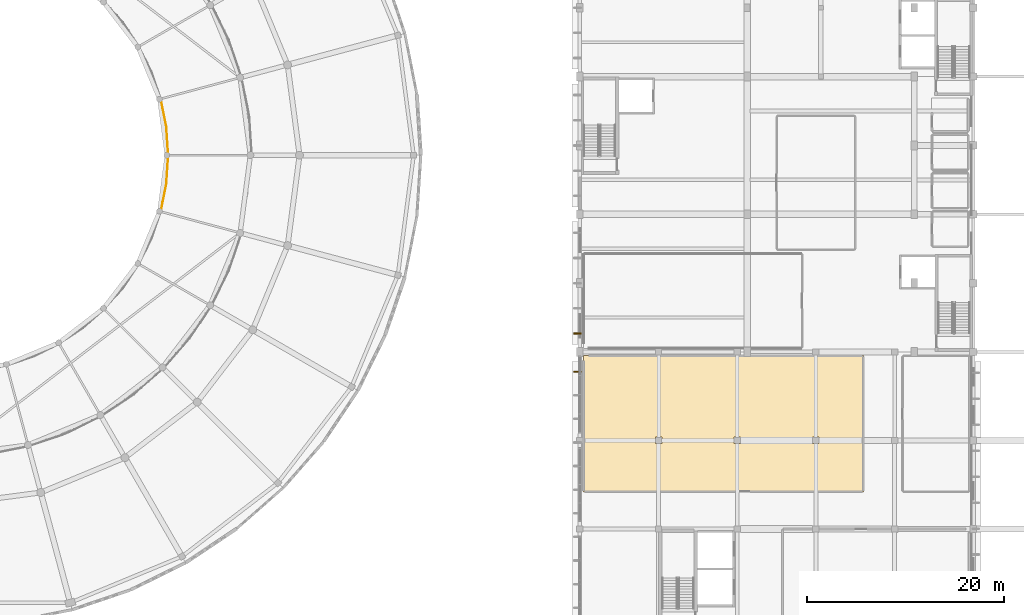
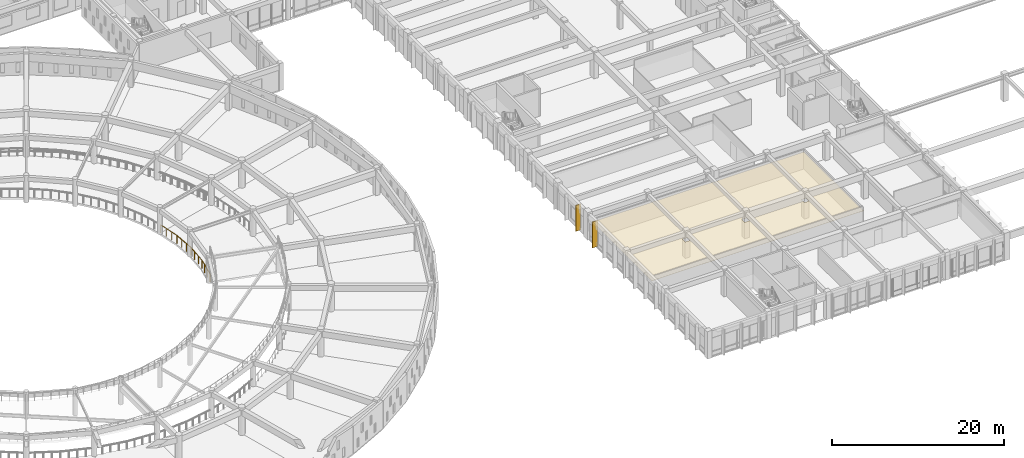
# One storey, part 84 of 98: 3 coverings, 1 railing.
"""IFC4 building model written with IfcOpenShell, lengths in metres."""

from ifc_helpers import new_model, si_unit, direction, frame, origin, origin_2d, place, context, subcontext, project, spatial, polyline, rectangle, circle, outline, extrude, material, layer, layer_set, type_object, element, save


model = new_model("IFC4")

# Units and contexts
model_context = context("Model", 3, precision=1e-05, world=origin(), true_north=direction((0.0, 1.0)))
body_context = subcontext(model_context, "Body", "Model", "MODEL_VIEW")
ifc_project = project(units=[si_unit("LENGTHUNIT", "METRE"), si_unit("AREAUNIT", "SQUARE_METRE"), si_unit("VOLUMEUNIT", "CUBIC_METRE"), si_unit("PLANEANGLEUNIT", "RADIAN"), si_unit("MASSUNIT", "GRAM", prefix="KILO")], contexts=[model_context])

# Site, building, storey
site_placement = place(None, origin())
site = spatial("IfcSite", under=ifc_project, at=site_placement, CompositionType="ELEMENT")
building_placement = place(site_placement, origin())
building = spatial("IfcBuilding", under=site, at=building_placement, Name="Larkveld Mobility Hub", CompositionType="ELEMENT")
storey_placement = place(building_placement, frame((0.0, 0.0, 4.5)))
storey = spatial("IfcBuildingStorey", under=building, at=storey_placement, Name="L01", CompositionType="ELEMENT", Elevation=4.5)

# Coverings
ifc_material_1 = material(Name="Precast concrete C50/60", Category="concrete")
ifc_layer_1 = layer(ifc_material_1, 0.1201171875, Name="Precast concrete C50/60", Category="concrete")
ifc_layer_set_1 = layer_set([ifc_layer_1], Name="Precast concrete C50/60")
covering_type_1 = type_object("IfcCoveringType", Name="COV-QSL-V01", PredefinedType="CLADDING", material=ifc_layer_set_1)
for number, where, z_axis, x_axis, name in (
    (1, (111.760009765625, 26.0, -0.0205078125), (0.0, 0.0, 1.0), (0.0, -1.0, 0.0), "Precast Quebra-Sol Vertical Fin QSV-235"),
    (2, (111.760009765625, 29.8798828125, -0.0205078125), (0.0, 0.0, 1.0), (0.0, -1.0, 0.0), "Precast Quebra-Sol Vertical Fin QSV-402"),
):
    element("IfcCovering", number, at=place(storey_placement, frame(where, z_axis=z_axis, x_axis=x_axis)), inside=storey, type_object=covering_type_1, Name=name, PredefinedType="CLADDING", context=body_context, shape_type="SweptSolid", body=[
        extrude(rectangle(XDim=0.1201171875, YDim=0.719970703125, at=origin_2d()), origin(), (0.0, 0.0, 1.0), 3.675048828125),
    ])
ifc_material_2 = material(Name="Moisture-resistant gypsum board ceiling", Category="masonry")
ifc_layer_2 = layer(ifc_material_2, 0.02490234375, Name="Moisture-resistant gypsum board ceiling", Category="masonry")
ifc_layer_set_2 = layer_set([ifc_layer_2], Name="Moisture-resistant gypsum board ceiling")
covering_type_2 = type_object("IfcCoveringType", Name="CV-CLG-025", PredefinedType="CEILING", material=ifc_layer_set_2)
covering_placement = place(storey_placement, frame((0.0, 0.0, 2.324951171875)))
element("IfcCovering", 3, at=covering_placement, inside=storey, type_object=covering_type_2, Name="Bus and Taxi Driver Rest Canteen Acoustic Ceiling 021", PredefinedType="CEILING", context=body_context, shape_type="SweptSolid", body=[
    extrude(outline(polyline([(112.4169921875, 13.77001953125), (112.4140625, 13.77099609375), (112.410888671875, 13.77099609375), (112.408935546875, 13.77197265625), (112.406005859375, 13.77392578125), (112.403076171875, 13.77490234375), (112.40087890625, 13.777099609375), (112.39892578125, 13.779052734375), (112.37890625, 13.799072265625), (112.376953125, 13.801025390625), (112.375, 13.802978515625), (112.3740234375, 13.805908203125), (112.3720703125, 13.80908203125), (112.37109375, 13.81103515625), (112.37109375, 13.81396484375), (112.3701171875, 13.81689453125), (112.3701171875, 13.820068359375), (112.3701171875, 27.580078125), (112.3701171875, 27.5830078125), (112.37109375, 27.5859375), (112.3720703125, 27.590087890625), (112.373046875, 27.593017578125), (112.3740234375, 27.594970703125), (112.385009765625, 27.613037109375), (112.386962890625, 27.615966796875), (112.388916015625, 27.617919921875), (112.39111328125, 27.6201171875), (112.39306640625, 27.6220703125), (112.39599609375, 27.6240234375), (112.39892578125, 27.625), (112.40087890625, 27.6259765625), (112.404052734375, 27.626953125), (112.406982421875, 27.626953125), (112.410888671875, 27.6279296875), (128.669921875, 27.62890625), (128.669921875, 27.544921875), (129.330078125, 27.544921875), (129.330078125, 27.62890625), (140.780029296875, 27.6298828125), (140.782958984375, 27.6298828125), (140.784912109375, 27.6298828125), (140.7880859375, 27.62890625), (140.791015625, 27.6279296875), (140.79296875, 27.626953125), (140.794921875, 27.6259765625), (140.81298828125, 27.614990234375), (140.81591796875, 27.613037109375), (140.818115234375, 27.611083984375), (140.820068359375, 27.60888671875), (140.822021484375, 27.60693359375), (140.823974609375, 27.60400390625), (140.824951171875, 27.60107421875), (140.825927734375, 27.59912109375), (140.826904296875, 27.595947265625), (140.826904296875, 27.593017578125), (140.827880859375, 27.589111328125), (140.830078125, 13.820068359375), (140.830078125, 13.81689453125), (140.830078125, 13.81494140625), (140.8291015625, 13.81201171875), (140.827880859375, 13.80908203125), (140.826904296875, 13.806884765625), (140.825927734375, 13.804931640625), (140.81494140625, 13.787109375), (140.81298828125, 13.783935546875), (140.81103515625, 13.781982421875), (140.80908203125, 13.780029296875), (140.806884765625, 13.778076171875), (140.803955078125, 13.77587890625), (140.801025390625, 13.77490234375), (140.799072265625, 13.77392578125), (140.7958984375, 13.77294921875), (140.79296875, 13.77294921875), (140.7890625, 13.77197265625), (112.419921875, 13.77001953125), (112.4169921875, 13.77001953125)]), holes=[polyline([(119.669921875, 19.330078125), (119.669921875, 18.669921875), (120.330078125, 18.669921875), (120.330078125, 19.330078125), (119.669921875, 19.330078125)]), polyline([(127.669921875, 19.330078125), (127.669921875, 18.669921875), (128.330078125, 18.669921875), (128.330078125, 19.330078125), (127.669921875, 19.330078125)]), polyline([(135.669921875, 19.330078125), (135.669921875, 18.669921875), (136.330078125, 18.669921875), (136.330078125, 19.330078125), (135.669921875, 19.330078125)])]), origin(), (0.0, 0.0, 1.0), 0.025146484375),
])

# Railing
ifc_material_3 = material(Name="Galvanized Steel S355JR vehicle-deck guard", Category="steel")
railing_type = type_object("IfcRailingType", Name="RL-GRD-RMP", PredefinedType="GUARDRAIL", material=ifc_material_3)
railing_placement = place(storey_placement, frame((69.39501953125, 42.26708984375, 0.0)))
element("IfcRailing", 4, at=railing_placement, inside=storey, type_object=railing_type, Name="Helical Throat Inner Guard L01-007", PredefinedType="GUARDRAIL", context=body_context, shape_type="SweptSolid", body=[
    extrude(circle(Radius=0.02392578125, at=origin_2d()), frame((0.0, 0.0, 1.1259765625), z_axis=(0.195305912265, 0.980742372203, 0.0), x_axis=(-0.980742372203, 0.195305912265, 0.0)), (0.0, 0.0, 1.0), 2.897705078125),
    extrude(circle(Radius=0.02392578125, at=origin_2d()), frame((0.56591796875, 2.841796875, 1.1259765625), z_axis=(0.065221416326, 0.997870816715, 0.0), x_axis=(-0.997870816715, 0.065221416326, 0.0)), (0.0, 0.0, 1.0), 2.897216796875),
    extrude(circle(Radius=0.02392578125, at=origin_2d()), frame((0.7548828125, 5.73291015625, 1.1259765625), z_axis=(-0.065221416326, 0.997870816715, 0.0), x_axis=(-0.997870816715, -0.065221416326, 0.0)), (0.0, 0.0, 1.0), 2.897216796875),
    extrude(circle(Radius=0.02392578125, at=origin_2d()), frame((0.56591796875, 8.6240234375, 1.1259765625), z_axis=(-0.195305912265, 0.980742372203, 0.0), x_axis=(-0.980742372203, -0.195305912265, 0.0)), (0.0, 0.0, 1.0), 2.897705078125),
    extrude(circle(Radius=0.02099609375, at=origin_2d()), origin(), (0.0, 0.0, 1.0), 1.101806640625),
    extrude(circle(Radius=0.02099609375, at=origin_2d()), frame((0.188720703125, 0.947265625, 0.0)), (0.0, 0.0, 1.0), 1.101806640625),
    extrude(circle(Radius=0.02099609375, at=origin_2d()), frame((0.377197265625, 1.89453125, 0.0)), (0.0, 0.0, 1.0), 1.101806640625),
    extrude(circle(Radius=0.02099609375, at=origin_2d()), frame((0.56591796875, 2.841796875, 0.0)), (0.0, 0.0, 1.0), 1.101806640625),
    extrude(circle(Radius=0.02099609375, at=origin_2d()), frame((0.62890625, 3.805419921875, 0.0)), (0.0, 0.0, 1.0), 1.101806640625),
    extrude(circle(Radius=0.02099609375, at=origin_2d()), frame((0.69189453125, 4.769287109375, 0.0)), (0.0, 0.0, 1.0), 1.101806640625),
    extrude(circle(Radius=0.02099609375, at=origin_2d()), frame((0.7548828125, 5.73291015625, 0.0)), (0.0, 0.0, 1.0), 1.101806640625),
    extrude(circle(Radius=0.02099609375, at=origin_2d()), frame((0.69189453125, 6.696533203125, 0.0)), (0.0, 0.0, 1.0), 1.101806640625),
    extrude(circle(Radius=0.02099609375, at=origin_2d()), frame((0.62890625, 7.660400390625, 0.0)), (0.0, 0.0, 1.0), 1.101806640625),
    extrude(circle(Radius=0.02099609375, at=origin_2d()), frame((0.56591796875, 8.6240234375, 0.0)), (0.0, 0.0, 1.0), 1.101806640625),
    extrude(circle(Radius=0.02099609375, at=origin_2d()), frame((0.377197265625, 9.5712890625, 0.0)), (0.0, 0.0, 1.0), 1.101806640625),
    extrude(circle(Radius=0.02099609375, at=origin_2d()), frame((0.188720703125, 10.5185546875, 0.0)), (0.0, 0.0, 1.0), 1.101806640625),
    extrude(circle(Radius=0.02099609375, at=origin_2d()), frame((0.0, 11.4658203125, 0.0)), (0.0, 0.0, 1.0), 1.101806640625),
])

save(model, "model.ifc")
